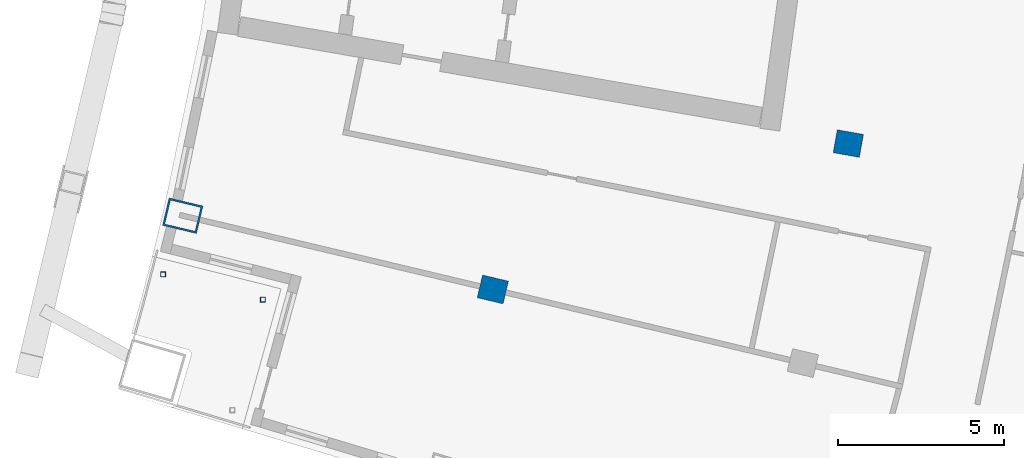
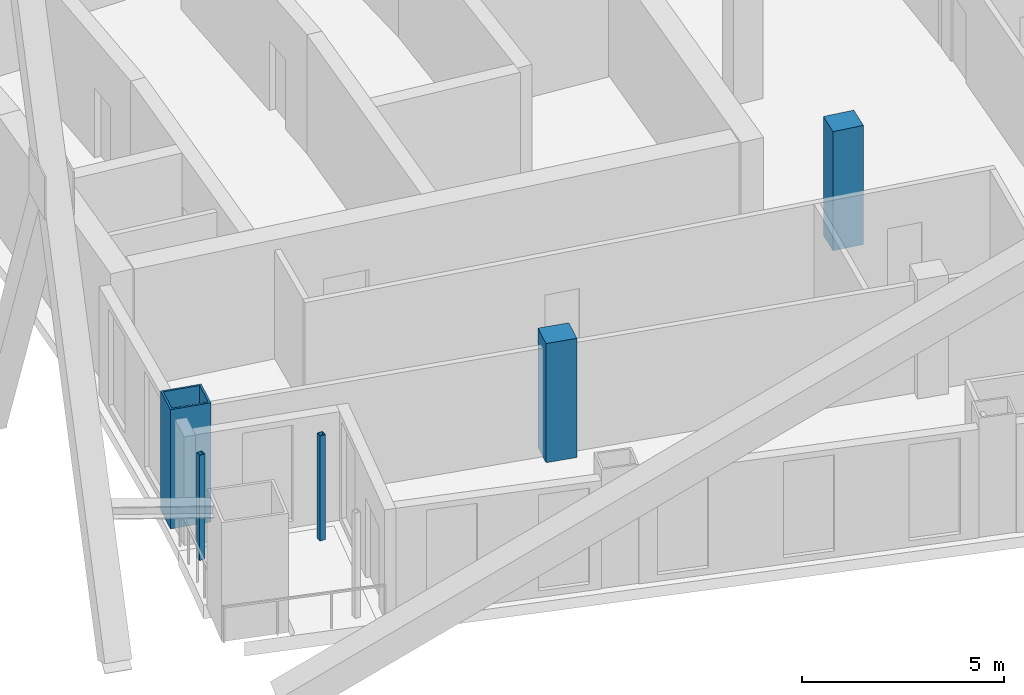
# One storey, part 3 of 20: 5 columns.
"""IFC4 building model written with IfcOpenShell, lengths in metres."""

from ifc_helpers import new_model, si_unit, direction, frame, origin, origin_2d, place, context, subcontext, project, spatial, rectangle, hollow_rectangle, extrude, material, material_profile, profile_set, type_object, element, save


model = new_model("IFC4")

# Units and contexts
model_context = context("Model", 3, precision=1e-05, world=origin(), true_north=direction((0.0, 1.0)))
body_context = subcontext(model_context, "Body", "Model", "MODEL_VIEW")
ifc_project = project(units=[si_unit("LENGTHUNIT", "METRE"), si_unit("AREAUNIT", "SQUARE_METRE"), si_unit("VOLUMEUNIT", "CUBIC_METRE"), si_unit("PLANEANGLEUNIT", "RADIAN"), si_unit("MASSUNIT", "GRAM", prefix="KILO")], contexts=[model_context])

# Site, building, storey
site_placement = place(None, origin())
site = spatial("IfcSite", under=ifc_project, at=site_placement, CompositionType="ELEMENT")
building_placement = place(site_placement, origin())
building = spatial("IfcBuilding", under=site, at=building_placement, Name="Alderwake Tower", CompositionType="ELEMENT")
storey_placement = place(building_placement, frame((0.0, 0.0, 210.800048828125)))
storey = spatial("IfcBuildingStorey", under=building, at=storey_placement, Name="L52", CompositionType="ELEMENT", Elevation=210.800048828125)

# Columns
ifc_material_1 = material(Name="Concrete C70/85", Category="concrete")
ifc_material_profile_1 = material_profile(ifc_material_1, rectangle(XDim=0.699951171875, YDim=0.800048828125, at=origin_2d()), Name="RC 800X700")
ifc_profile_set_1 = profile_set([ifc_material_profile_1], Name="Concrete C70/85")
column_type_1 = type_object("IfcColumnType", Name="Interior column Z4", PredefinedType="COLUMN", material=ifc_profile_set_1)
for number, where, z_axis, x_axis, name in (
    (1, (23.322021484375, 36.444091796875, 0.0), (0.0, 0.0, 1.0), (0.231221547198, 0.972901123502, 0.0), "Column R03-C1"),
    (2, (34.03125, 40.83837890625, 0.0), (0.0, 0.0, 1.0), (0.174108800747, 0.984726421654, 0.0), "Column R04-C2"),
):
    element("IfcColumn", number, at=place(storey_placement, frame(where, z_axis=z_axis, x_axis=x_axis)), inside=storey, type_object=column_type_1, Name=name, PredefinedType="COLUMN", context=body_context, shape_type="SweptSolid", body=[
        extrude(rectangle(XDim=0.699951171875, YDim=0.800048828125, at=origin_2d()), origin(), (0.0, 0.0, 1.0), 3.599853515625),
    ])
ifc_material_2 = material(Name="Steel ASTM A500 Grade C", Category="steel")
ifc_material_profile_2 = material_profile(ifc_material_2, hollow_rectangle(XDim=0.15234375, YDim=0.15234375, WallThickness=0.0087890625, at=origin_2d()), Name="HSS6X6X3/8")
ifc_profile_set_2 = profile_set([ifc_material_profile_2], Name="Steel ASTM A500 Grade C")
column_type_2 = type_object("IfcColumnType", Name="Light post HSS6X6X3/8", PredefinedType="COLUMN", material=ifc_profile_set_2)
for number, where, z_axis, x_axis, name in (
    (3, (13.3896484375, 36.896484375, 0.0), (0.0, 0.0, 1.0), (1.0, 0.0, 0.0), "Terrace post RS1"),
    (4, (16.39501953125, 36.135986328125, 0.0), (0.0, 0.0, 1.0), (1.0, 0.0, 0.0), "Terrace post RS3"),
):
    element("IfcColumn", number, at=place(storey_placement, frame(where, z_axis=z_axis, x_axis=x_axis)), inside=storey, type_object=column_type_2, Name=name, PredefinedType="COLUMN", context=body_context, shape_type="SweptSolid", body=[
        extrude(hollow_rectangle(XDim=0.15234375, YDim=0.15234375, WallThickness=0.0087890625, at=origin_2d()), origin(), (0.0, 0.0, 1.0), 3.179931640625),
    ])
ifc_material_3 = material(Name="Steel ASTM A572 Grade 50 concrete filled C70/85", Category="concrete")
ifc_material_profile_3 = material_profile(ifc_material_3, hollow_rectangle(XDim=0.85009765625, YDim=1.050048828125, WallThickness=0.054931640625, at=origin_2d()), Name="BOX 1050X850X55")
ifc_profile_set_3 = profile_set([ifc_material_profile_3], Name="Steel ASTM A572 Grade 50 concrete filled C70/85")
column_type_3 = type_object("IfcColumnType", Name="Perimeter column Z4", PredefinedType="COLUMN", material=ifc_profile_set_3)
column_placement = place(storey_placement, frame((13.982177734375, 38.6640625, 0.0), z_axis=(0.0, 0.0, 1.0), x_axis=(0.231221547198, 0.972901123502, 0.0)))
element("IfcColumn", 5, at=column_placement, inside=storey, type_object=column_type_3, Name="Column R03-C0", PredefinedType="COLUMN", context=body_context, shape_type="SweptSolid", body=[
    extrude(hollow_rectangle(XDim=0.85009765625, YDim=1.050048828125, WallThickness=0.054931640625, at=origin_2d()), origin(), (0.0, 0.0, 1.0), 3.599853515625),
])

save(model, "model.ifc")
